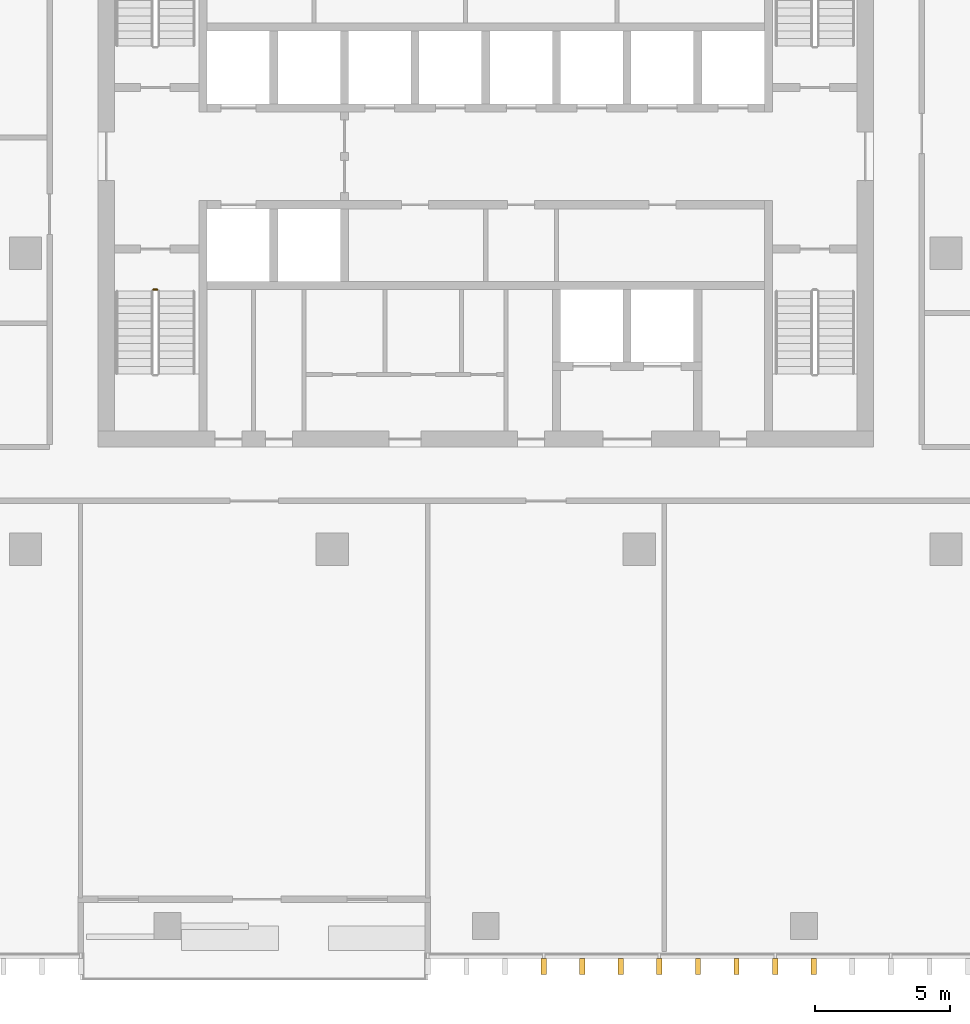
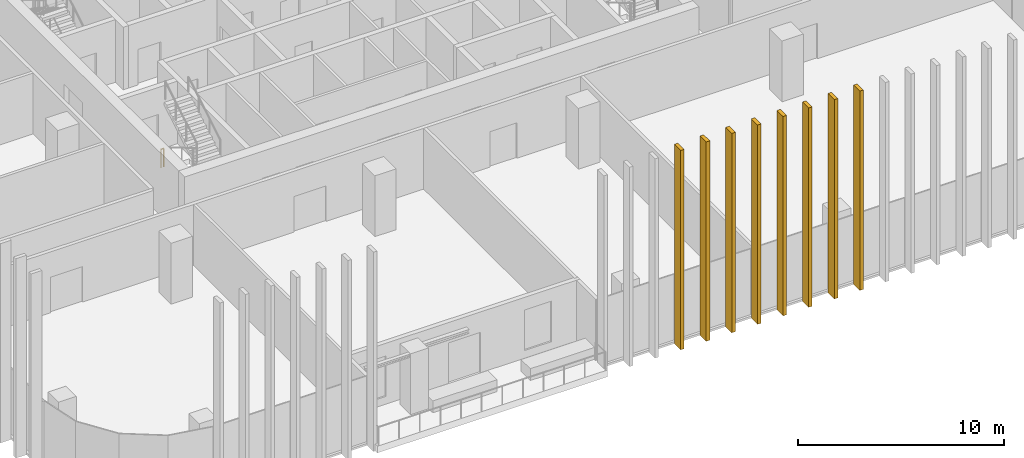
# One storey, part 12 of 16: 8 shading devices, 1 railing.
"""IFC4 building model written with IfcOpenShell, lengths in metres."""

import ifcopenshell
import ifcopenshell.guid

model = None  # the IFC model being written
_history = None  # IfcOwnerHistory: only IFC2X3 demands one
_inside = {}  # id of a spatial element -> (the spatial element, [elements in it])
_under = {}  # id of a project, library or spatial element -> (it, [spatial elements below it])
_declared = {}  # id of a project -> (the project, [libraries it declares])
_typed = {}  # id of a type object -> (the type object, [elements of that type])
_made_of = {}  # id of a material, layer set ... -> (it, [elements and type objects made of it])


def new_model(schema):
    """Start an empty IFC model of exactly this schema.

    Asked for "IFC4X3", IfcOpenShell would pick the latest addendum, in which some entities
    have other attributes; the version numbers below select the first issue.
    IFC2X3 requires an IfcOwnerHistory on every rooted entity: one is made here for all.
    """
    global model, _history
    if schema == "IFC4X3":
        model = ifcopenshell.file(schema_version=(4, 3, 0, 0))
    else:
        model = ifcopenshell.file(schema=schema)
    _inside.clear()
    _under.clear()
    _declared.clear()
    _typed.clear()
    _made_of.clear()
    _history = None
    if model.schema == "IFC2X3":
        org = make("IfcOrganization", Name="unknown")
        user = make(
            "IfcPersonAndOrganization",
            ThePerson=make("IfcPerson", FamilyName="unknown"),
            TheOrganization=org,
        )
        app = make(
            "IfcApplication",
            ApplicationDeveloper=org,
            Version="unknown",
            ApplicationFullName="unknown",
            ApplicationIdentifier="unknown",
        )
        _history = make(
            "IfcOwnerHistory",
            OwningUser=user,
            OwningApplication=app,
            ChangeAction="ADDED",
            CreationDate=0,
        )
    return model


def make(cls, **values):
    """One entity of the class cls with the attributes given. An attribute that is None is left unset."""
    return model.create_entity(
        cls, **{name: value for name, value in values.items() if value is not None}
    )


def rooted(cls, **values):
    """An entity with a GlobalId (a new one), such as an element, a storey or a relation."""
    return make(cls, GlobalId=ifcopenshell.guid.new(), OwnerHistory=_history, **values)


def si_unit(unit_type, name, prefix=None):
    """IfcSIUnit, for example si_unit("LENGTHUNIT", "METRE", prefix="MILLI")."""
    return make("IfcSIUnit", UnitType=unit_type, Prefix=prefix, Name=name)


def assignment(units):
    """IfcUnitAssignment: the units of a project."""
    return None if units is None else make("IfcUnitAssignment", Units=units)


def point(xyz):
    """IfcCartesianPoint."""
    return None if xyz is None else make("IfcCartesianPoint", Coordinates=xyz)


def direction(xyz):
    """IfcDirection."""
    return None if xyz is None else make("IfcDirection", DirectionRatios=xyz)


def frame(location, z_axis=None, x_axis=None):
    """IfcAxis2Placement3D, a coordinate frame: its origin and axes. An axis left out is left unset."""
    return make(
        "IfcAxis2Placement3D",
        Location=point(location),
        Axis=direction(z_axis),
        RefDirection=direction(x_axis),
    )


def frame_2d(location, x_axis=None):
    """IfcAxis2Placement2D, a coordinate frame in the plane: its origin and x axis."""
    return make(
        "IfcAxis2Placement2D", Location=point(location), RefDirection=direction(x_axis)
    )


def origin():
    """The frame at (0, 0, 0) with its axes left unset."""
    return frame((0.0, 0.0, 0.0))


def origin_2d():
    """The frame at (0, 0) in the plane with its x axis left unset."""
    return frame_2d((0.0, 0.0))


def place(relative_to, where):
    """IfcLocalPlacement: puts the frame where relative to a parent placement (None: the world)."""
    return make(
        "IfcLocalPlacement", PlacementRelTo=relative_to, RelativePlacement=where
    )


def context(
    kind, dimensions, precision=None, world=None, true_north=None, identifier=None
):
    """IfcGeometricRepresentationContext, for example the 3D "Model" context."""
    return make(
        "IfcGeometricRepresentationContext",
        ContextIdentifier=identifier,
        ContextType=kind,
        CoordinateSpaceDimension=dimensions,
        Precision=precision,
        WorldCoordinateSystem=world,
        TrueNorth=true_north,
    )


def subcontext(parent, identifier, kind, view, scale=None):
    """IfcGeometricRepresentationSubContext, for example "Body" below "Model"."""
    return make(
        "IfcGeometricRepresentationSubContext",
        ContextIdentifier=identifier,
        ContextType=kind,
        ParentContext=parent,
        TargetScale=scale,
        TargetView=view,
    )


def project(units=None, contexts=None):
    """IfcProject with its units and contexts."""
    return rooted(
        "IfcProject",
        Name="project",
        RepresentationContexts=contexts,
        UnitsInContext=assignment(units),
    )


def spatial(cls, under=None, at=None, **own):
    """A site, building, storey or space (cls), placed at a placement, below another one or the project."""
    s = rooted(cls, ObjectPlacement=at, **own)
    if under is not None:
        _under.setdefault(under.id(), (under, []))[1].append(s)
    return s


def profile(cls, at=None, kind="AREA", **sizes):
    """A parametric profile (cls). Its sizes go by their IFC names, for example OverallWidth=200.0."""
    return make(cls, ProfileType=kind, Position=at, **sizes)


def rectangle(**sizes):
    """IfcRectangleProfileDef."""
    return profile("IfcRectangleProfileDef", **sizes)


def circle(**sizes):
    """IfcCircleProfileDef."""
    return profile("IfcCircleProfileDef", **sizes)


def extrude(swept, where, along, depth):
    """IfcExtrudedAreaSolid: the profile swept, set in the frame where, extruded along a direction by depth."""
    return make(
        "IfcExtrudedAreaSolid",
        SweptArea=swept,
        Position=where,
        ExtrudedDirection=direction(along),
        Depth=depth,
    )


def shape(context_of_items, identifier, shape_type, items):
    """IfcShapeRepresentation: the items that make up one representation, for example the "Body"."""
    return make(
        "IfcShapeRepresentation",
        ContextOfItems=context_of_items,
        RepresentationIdentifier=identifier,
        RepresentationType=shape_type,
        Items=items,
    )


def material(Name=None, Category=None):
    """IfcMaterial."""
    return make("IfcMaterial", Name=Name, Category=Category)


def made_of(thing, what):
    """Note that an element or type object is made of a material, layer set ...; save() writes the relation."""
    if what is not None:
        _made_of.setdefault(what.id(), (what, []))[1].append(thing)
    return thing


def type_object(cls, material=None, **own):
    """A type object (cls), such as IfcWallType, which elements share."""
    return made_of(rooted(cls, **own), material)


def element(
    cls,
    number,
    at=None,
    inside=None,
    cuts=None,
    type_object=None,
    material=None,
    context=None,
    identifier="Body",
    shape_type=None,
    held_by="IfcProductDefinitionShape",
    body=None,
    shapes=None,
    **own,
):
    """One element of the class cls, such as IfcWall. Its Tag is "e" and its number.

    at: its placement. inside: the storey or other place that contains it. cuts: it is an
    opening in that element (IfcRelVoidsElement). A single representation is given by context,
    identifier, shape_type and body (its items); several are given by shapes. held_by: the class
    of the entity that holds the representations. save() writes the other relations.
    """
    e = rooted(cls, Tag="e%d" % number, ObjectPlacement=at, **own)
    if body is not None:
        shapes = [shape(context, identifier, shape_type, body)]
    if shapes is not None:
        e.Representation = make(held_by, Representations=shapes)
    if inside is not None:
        _inside.setdefault(inside.id(), (inside, []))[1].append(e)
    if cuts is not None:
        rooted(
            "IfcRelVoidsElement", RelatingBuildingElement=cuts, RelatedOpeningElement=e
        )
    if type_object is not None:
        _typed.setdefault(type_object.id(), (type_object, []))[1].append(e)
    return made_of(e, material)


def aggregate(whole, parts):
    """IfcRelAggregates: a whole, such as a stair, and the parts it consists of."""
    return rooted("IfcRelAggregates", RelatingObject=whole, RelatedObjects=parts)


def save(model, path):
    """Write the relations noted so far, then the file.

    IfcRelAggregates (storeys below a building ...), IfcRelContainedInSpatialStructure (elements
    in a storey), IfcRelDefinesByType, IfcRelAssociatesMaterial and IfcRelDeclares: one each for
    every whole, place, type object, material and project.
    """
    for whole, parts in _under.values():
        aggregate(whole, parts)
    for where, things in _inside.values():
        rooted(
            "IfcRelContainedInSpatialStructure",
            RelatedElements=things,
            RelatingStructure=where,
        )
    for kind, things in _typed.values():
        rooted("IfcRelDefinesByType", RelatedObjects=things, RelatingType=kind)
    for what, things in _made_of.values():
        rooted("IfcRelAssociatesMaterial", RelatedObjects=things, RelatingMaterial=what)
    for by, libraries in _declared.values():
        rooted("IfcRelDeclares", RelatingContext=by, RelatedDefinitions=libraries)
    model.write(path)


model = new_model("IFC4")

# Units and contexts
model_context = context("Model", 3, precision=1e-05, world=origin(), true_north=direction((0.0, 1.0)))
body_context = subcontext(model_context, "Body", "Model", "MODEL_VIEW")
ifc_project = project(units=[si_unit("LENGTHUNIT", "METRE"), si_unit("AREAUNIT", "SQUARE_METRE"), si_unit("VOLUMEUNIT", "CUBIC_METRE"), si_unit("PLANEANGLEUNIT", "RADIAN"), si_unit("MASSUNIT", "GRAM", prefix="KILO")], contexts=[model_context])

# Site, building, storey
site_placement = place(None, origin())
site = spatial("IfcSite", under=ifc_project, at=site_placement, CompositionType="ELEMENT")
building_placement = place(site_placement, origin())
building = spatial("IfcBuilding", under=site, at=building_placement, Name="Mopane Tessera Tower", CompositionType="ELEMENT")
storey_placement = place(building_placement, frame((0.0, 0.0, 303.39990234375)))
storey = spatial("IfcBuildingStorey", under=building, at=storey_placement, Name="L66", CompositionType="ELEMENT", Elevation=303.39990234375)

# Shading devices
ifc_material_1 = material(Name="Glazed ceramic tile")
shading_device_type = type_object("IfcShadingDeviceType", Name="Ceramic tile fin 600 x 200 mm", PredefinedType="USERDEFINED", material=ifc_material_1)
for number, where, z_axis, x_axis, name in (
    (1, (2.14990234375, -26.5, -0.39990234375), (0.0, 0.0, 1.0), (1.0, 0.0, 0.0), "e:fin:L66:S:6:0"),
    (2, (3.583251953125, -26.5, -0.39990234375), (0.0, 0.0, 1.0), (1.0, 0.0, 0.0), "e:fin:L66:S:6:1"),
    (3, (5.0166015625, -26.5, -0.39990234375), (0.0, 0.0, 1.0), (1.0, 0.0, 0.0), "e:fin:L66:S:6:2"),
    (4, (6.449951171875, -26.5, -0.39990234375), (0.0, 0.0, 1.0), (1.0, 0.0, 0.0), "e:fin:L66:S:7:0"),
    (5, (7.88330078125, -26.5, -0.39990234375), (0.0, 0.0, 1.0), (1.0, 0.0, 0.0), "e:fin:L66:S:7:1"),
    (6, (9.316650390625, -26.5, -0.39990234375), (0.0, 0.0, 1.0), (1.0, 0.0, 0.0), "e:fin:L66:S:7:2"),
    (7, (10.75, -26.5, -0.39990234375), (0.0, 0.0, 1.0), (1.0, 0.0, 0.0), "e:fin:L66:S:8:0"),
    (8, (12.183349609375, -26.5, -0.39990234375), (0.0, 0.0, 1.0), (1.0, 0.0, 0.0), "e:fin:L66:S:8:1"),
):
    element("IfcShadingDevice", number, at=place(storey_placement, frame(where, z_axis=z_axis, x_axis=x_axis)), inside=storey, type_object=shading_device_type, Name=name, ObjectType="FIN", PredefinedType="USERDEFINED", context=body_context, shape_type="SweptSolid", body=[
        extrude(rectangle(XDim=0.199951171875, YDim=0.60009765625, at=origin_2d()), origin(), (0.0, 0.0, 1.0), 11.800048828125),
    ])

# Railing
ifc_material_2 = material(Name="Powder-coated steel balustrade", Category="steel")
railing_type = type_object("IfcRailingType", Name="Escape stair guard 1100 mm", PredefinedType="GUARDRAIL", material=ifc_material_2)
railing_placement = place(storey_placement, frame((-12.35009765625, -1.35009765625, 0.0)))
element("IfcRailing", 9, at=railing_placement, inside=storey, type_object=railing_type, Name="L66 ST1 stair guard 3", PredefinedType="GUARDRAIL", context=body_context, shape_type="SweptSolid", body=[
    extrude(circle(Radius=0.02392578125, at=origin_2d()), frame((0.0, 0.0, 1.076171875), z_axis=(1.0, 0.0, 0.0), x_axis=(0.0, 1.0, 0.0)), (0.0, 0.0, 1.0), 0.150146484375),
    extrude(circle(Radius=0.02099609375, at=origin_2d()), origin(), (0.0, 0.0, 1.0), 1.052001953125),
    extrude(circle(Radius=0.02099609375, at=origin_2d()), frame((0.150146484375, 0.0, 0.0)), (0.0, 0.0, 1.0), 1.052001953125),
])

save(model, "model.ifc")
